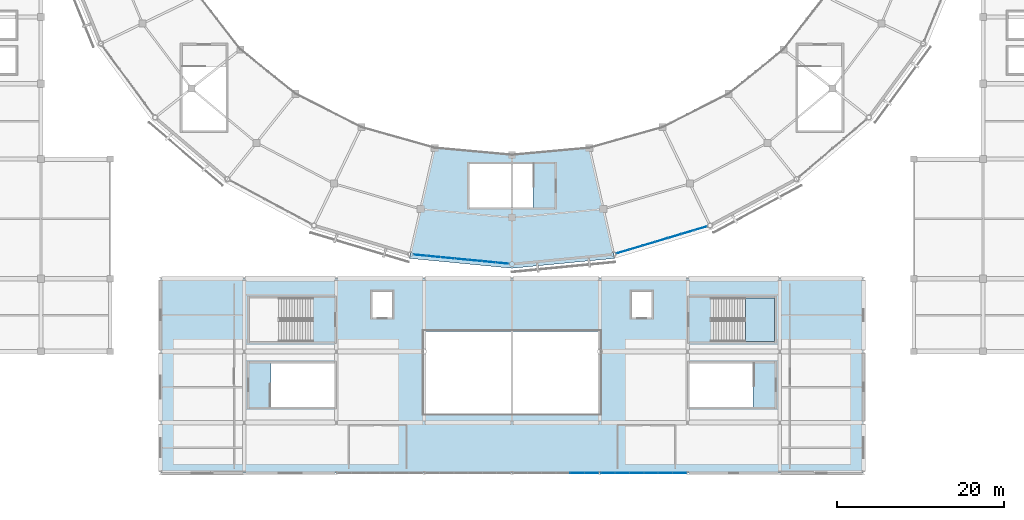
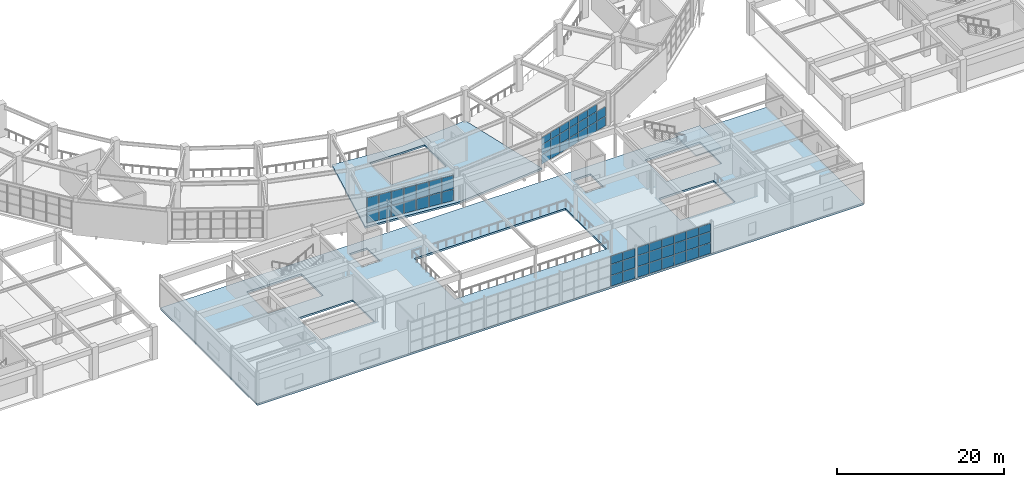
# One storey, part 68 of 112: 58 plates, 3 slabs, 5 elements without a shape of their own.
"""IFC4 building model written with IfcOpenShell, lengths in metres."""

import ifcopenshell
import ifcopenshell.guid

model = None  # the IFC model being written
_history = None  # IfcOwnerHistory: only IFC2X3 demands one
_inside = {}  # id of a spatial element -> (the spatial element, [elements in it])
_under = {}  # id of a project, library or spatial element -> (it, [spatial elements below it])
_declared = {}  # id of a project -> (the project, [libraries it declares])
_typed = {}  # id of a type object -> (the type object, [elements of that type])
_made_of = {}  # id of a material, layer set ... -> (it, [elements and type objects made of it])


def new_model(schema):
    """Start an empty IFC model of exactly this schema.

    Asked for "IFC4X3", IfcOpenShell would pick the latest addendum, in which some entities
    have other attributes; the version numbers below select the first issue.
    IFC2X3 requires an IfcOwnerHistory on every rooted entity: one is made here for all.
    """
    global model, _history
    if schema == "IFC4X3":
        model = ifcopenshell.file(schema_version=(4, 3, 0, 0))
    else:
        model = ifcopenshell.file(schema=schema)
    _inside.clear()
    _under.clear()
    _declared.clear()
    _typed.clear()
    _made_of.clear()
    _history = None
    if model.schema == "IFC2X3":
        org = make("IfcOrganization", Name="unknown")
        user = make(
            "IfcPersonAndOrganization",
            ThePerson=make("IfcPerson", FamilyName="unknown"),
            TheOrganization=org,
        )
        app = make(
            "IfcApplication",
            ApplicationDeveloper=org,
            Version="unknown",
            ApplicationFullName="unknown",
            ApplicationIdentifier="unknown",
        )
        _history = make(
            "IfcOwnerHistory",
            OwningUser=user,
            OwningApplication=app,
            ChangeAction="ADDED",
            CreationDate=0,
        )
    return model


def make(cls, **values):
    """One entity of the class cls with the attributes given. An attribute that is None is left unset."""
    return model.create_entity(
        cls, **{name: value for name, value in values.items() if value is not None}
    )


def rooted(cls, **values):
    """An entity with a GlobalId (a new one), such as an element, a storey or a relation."""
    return make(cls, GlobalId=ifcopenshell.guid.new(), OwnerHistory=_history, **values)


def si_unit(unit_type, name, prefix=None):
    """IfcSIUnit, for example si_unit("LENGTHUNIT", "METRE", prefix="MILLI")."""
    return make("IfcSIUnit", UnitType=unit_type, Prefix=prefix, Name=name)


def assignment(units):
    """IfcUnitAssignment: the units of a project."""
    return None if units is None else make("IfcUnitAssignment", Units=units)


def point(xyz):
    """IfcCartesianPoint."""
    return None if xyz is None else make("IfcCartesianPoint", Coordinates=xyz)


def direction(xyz):
    """IfcDirection."""
    return None if xyz is None else make("IfcDirection", DirectionRatios=xyz)


def frame(location, z_axis=None, x_axis=None):
    """IfcAxis2Placement3D, a coordinate frame: its origin and axes. An axis left out is left unset."""
    return make(
        "IfcAxis2Placement3D",
        Location=point(location),
        Axis=direction(z_axis),
        RefDirection=direction(x_axis),
    )


def frame_2d(location, x_axis=None):
    """IfcAxis2Placement2D, a coordinate frame in the plane: its origin and x axis."""
    return make(
        "IfcAxis2Placement2D", Location=point(location), RefDirection=direction(x_axis)
    )


def origin():
    """The frame at (0, 0, 0) with its axes left unset."""
    return frame((0.0, 0.0, 0.0))


def origin_2d():
    """The frame at (0, 0) in the plane with its x axis left unset."""
    return frame_2d((0.0, 0.0))


def place(relative_to, where):
    """IfcLocalPlacement: puts the frame where relative to a parent placement (None: the world)."""
    return make(
        "IfcLocalPlacement", PlacementRelTo=relative_to, RelativePlacement=where
    )


def context(
    kind, dimensions, precision=None, world=None, true_north=None, identifier=None
):
    """IfcGeometricRepresentationContext, for example the 3D "Model" context."""
    return make(
        "IfcGeometricRepresentationContext",
        ContextIdentifier=identifier,
        ContextType=kind,
        CoordinateSpaceDimension=dimensions,
        Precision=precision,
        WorldCoordinateSystem=world,
        TrueNorth=true_north,
    )


def subcontext(parent, identifier, kind, view, scale=None):
    """IfcGeometricRepresentationSubContext, for example "Body" below "Model"."""
    return make(
        "IfcGeometricRepresentationSubContext",
        ContextIdentifier=identifier,
        ContextType=kind,
        ParentContext=parent,
        TargetScale=scale,
        TargetView=view,
    )


def project(units=None, contexts=None):
    """IfcProject with its units and contexts."""
    return rooted(
        "IfcProject",
        Name="project",
        RepresentationContexts=contexts,
        UnitsInContext=assignment(units),
    )


def spatial(cls, under=None, at=None, **own):
    """A site, building, storey or space (cls), placed at a placement, below another one or the project."""
    s = rooted(cls, ObjectPlacement=at, **own)
    if under is not None:
        _under.setdefault(under.id(), (under, []))[1].append(s)
    return s


def polyline(points):
    """IfcPolyline through the points."""
    return make("IfcPolyline", Points=[point(p) for p in points])


def profile(cls, at=None, kind="AREA", **sizes):
    """A parametric profile (cls). Its sizes go by their IFC names, for example OverallWidth=200.0."""
    return make(cls, ProfileType=kind, Position=at, **sizes)


def rectangle(**sizes):
    """IfcRectangleProfileDef."""
    return profile("IfcRectangleProfileDef", **sizes)


def outline(outer, holes=None, kind="AREA"):
    """IfcArbitraryClosedProfileDef: a profile drawn as a closed curve; with holes, ...WithVoids."""
    if holes is None:
        return make("IfcArbitraryClosedProfileDef", ProfileType=kind, OuterCurve=outer)
    return make(
        "IfcArbitraryProfileDefWithVoids",
        ProfileType=kind,
        OuterCurve=outer,
        InnerCurves=holes,
    )


def extrude(swept, where, along, depth):
    """IfcExtrudedAreaSolid: the profile swept, set in the frame where, extruded along a direction by depth."""
    return make(
        "IfcExtrudedAreaSolid",
        SweptArea=swept,
        Position=where,
        ExtrudedDirection=direction(along),
        Depth=depth,
    )


def shape(context_of_items, identifier, shape_type, items):
    """IfcShapeRepresentation: the items that make up one representation, for example the "Body"."""
    return make(
        "IfcShapeRepresentation",
        ContextOfItems=context_of_items,
        RepresentationIdentifier=identifier,
        RepresentationType=shape_type,
        Items=items,
    )


def material(Name=None, Category=None):
    """IfcMaterial."""
    return make("IfcMaterial", Name=Name, Category=Category)


def layer(
    of_material, thickness, ventilated=None, Name=None, Category=None, Priority=None
):
    """IfcMaterialLayer: one layer of a wall or slab, of a material (None: an air gap)."""
    return make(
        "IfcMaterialLayer",
        Material=of_material,
        LayerThickness=thickness,
        IsVentilated=ventilated,
        Name=Name,
        Category=Category,
        Priority=Priority,
    )


def layer_set(layers, Name=None):
    """IfcMaterialLayerSet."""
    return make("IfcMaterialLayerSet", MaterialLayers=layers, LayerSetName=Name)


def made_of(thing, what):
    """Note that an element or type object is made of a material, layer set ...; save() writes the relation."""
    if what is not None:
        _made_of.setdefault(what.id(), (what, []))[1].append(thing)
    return thing


def type_object(cls, material=None, **own):
    """A type object (cls), such as IfcWallType, which elements share."""
    return made_of(rooted(cls, **own), material)


def element(
    cls,
    number,
    at=None,
    inside=None,
    cuts=None,
    type_object=None,
    material=None,
    context=None,
    identifier="Body",
    shape_type=None,
    held_by="IfcProductDefinitionShape",
    body=None,
    shapes=None,
    **own,
):
    """One element of the class cls, such as IfcWall. Its Tag is "e" and its number.

    at: its placement. inside: the storey or other place that contains it. cuts: it is an
    opening in that element (IfcRelVoidsElement). A single representation is given by context,
    identifier, shape_type and body (its items); several are given by shapes. held_by: the class
    of the entity that holds the representations. save() writes the other relations.
    """
    e = rooted(cls, Tag="e%d" % number, ObjectPlacement=at, **own)
    if body is not None:
        shapes = [shape(context, identifier, shape_type, body)]
    if shapes is not None:
        e.Representation = make(held_by, Representations=shapes)
    if inside is not None:
        _inside.setdefault(inside.id(), (inside, []))[1].append(e)
    if cuts is not None:
        rooted(
            "IfcRelVoidsElement", RelatingBuildingElement=cuts, RelatedOpeningElement=e
        )
    if type_object is not None:
        _typed.setdefault(type_object.id(), (type_object, []))[1].append(e)
    return made_of(e, material)


def aggregate(whole, parts):
    """IfcRelAggregates: a whole, such as a stair, and the parts it consists of."""
    return rooted("IfcRelAggregates", RelatingObject=whole, RelatedObjects=parts)


def save(model, path):
    """Write the relations noted so far, then the file.

    IfcRelAggregates (storeys below a building ...), IfcRelContainedInSpatialStructure (elements
    in a storey), IfcRelDefinesByType, IfcRelAssociatesMaterial and IfcRelDeclares: one each for
    every whole, place, type object, material and project.
    """
    for whole, parts in _under.values():
        aggregate(whole, parts)
    for where, things in _inside.values():
        rooted(
            "IfcRelContainedInSpatialStructure",
            RelatedElements=things,
            RelatingStructure=where,
        )
    for kind, things in _typed.values():
        rooted("IfcRelDefinesByType", RelatedObjects=things, RelatingType=kind)
    for what, things in _made_of.values():
        rooted("IfcRelAssociatesMaterial", RelatedObjects=things, RelatingMaterial=what)
    for by, libraries in _declared.values():
        rooted("IfcRelDeclares", RelatingContext=by, RelatedDefinitions=libraries)
    model.write(path)


model = new_model("IFC4")

# Units and contexts
model_context = context("Model", 3, precision=1e-05, world=origin(), true_north=direction((0.0, 1.0)))
body_context = subcontext(model_context, "Body", "Model", "MODEL_VIEW")
ifc_project = project(units=[si_unit("LENGTHUNIT", "METRE"), si_unit("AREAUNIT", "SQUARE_METRE"), si_unit("VOLUMEUNIT", "CUBIC_METRE"), si_unit("PLANEANGLEUNIT", "RADIAN"), si_unit("MASSUNIT", "GRAM", prefix="KILO")], contexts=[model_context])

# Site, building, storey
site_placement = place(None, origin())
site = spatial("IfcSite", under=ifc_project, at=site_placement, CompositionType="ELEMENT")
building_placement = place(site_placement, origin())
building = spatial("IfcBuilding", under=site, at=building_placement, Name="Cuetzalor Civic Arena", CompositionType="ELEMENT")
storey_placement = place(building_placement, frame((0.0, 0.0, 11.39990234375)))
storey = spatial("IfcBuildingStorey", under=building, at=storey_placement, Name="L02", CompositionType="ELEMENT", Elevation=11.39990234375)

# Curtain wall, plates
ifc_material_1 = material(Name="Anodised dark bronze aluminium and low-E solar glass", Category="aluminium")
curtain_wall_type_1 = type_object("IfcCurtainWallType", Name="UnitisedCW_11550x3850", PredefinedType="USERDEFINED", material=ifc_material_1)
curtain_wall_1_placement = place(storey_placement, origin())
curtain_wall_1 = element("IfcCurtainWall", 1, at=curtain_wall_1_placement, inside=storey, type_object=curtain_wall_type_1, Name="Drum Triangle Foyer Curtain Wall L02-041", ObjectType="UNITISED CURTAIN WALL", PredefinedType="USERDEFINED")
ifc_material_2 = material(Name="Acoustic laminated solar control glass", Category="glass")
ifc_layer_1 = layer(ifc_material_2, 0.0439453125)
ifc_layer_set_1 = layer_set([ifc_layer_1], Name="Acoustic laminated solar control glass")
plate_type_1 = type_object("IfcPlateType", Name="AcousticTripleGlazedPanel_44", PredefinedType="CURTAIN_PANEL", material=ifc_layer_set_1)
plate_1_placement = place(storey_placement, frame((-1.15185546875, -46.439208984375, 0.065185546875), z_axis=(0.0, 0.0, 1.0), x_axis=(-0.995409139996, 0.095711253324, 0.0)))
plate_1 = element("IfcPlate", 2, at=plate_1_placement, type_object=plate_type_1, Name="CW-14 panel 1.1", PredefinedType="CURTAIN_PANEL", context=body_context, shape_type="SweptSolid", body=[
    extrude(rectangle(XDim=1.5546875, YDim=0.0439453125, at=origin_2d()), origin(), (0.0, 0.0, 1.0), 1.62646484375),
])
plate_2_placement = place(storey_placement, frame((-1.15185546875, -46.439208984375, 1.7568359375), z_axis=(0.0, 0.0, 1.0), x_axis=(-0.995409139996, 0.095711253324, 0.0)))
plate_2 = element("IfcPlate", 3, at=plate_2_placement, type_object=plate_type_1, Name="CW-14 panel 1.2", PredefinedType="CURTAIN_PANEL", context=body_context, shape_type="SweptSolid", body=[
    extrude(rectangle(XDim=1.5546875, YDim=0.0439453125, at=origin_2d()), origin(), (0.0, 0.0, 1.0), 2.010498046875),
])
plate_3_placement = place(storey_placement, frame((-2.780029296875, -46.28271484375, 0.065185546875), z_axis=(0.0, 0.0, 1.0), x_axis=(-0.995409139996, 0.095711253324, 0.0)))
plate_3 = element("IfcPlate", 4, at=plate_3_placement, type_object=plate_type_1, Name="CW-14 panel 2.1", PredefinedType="CURTAIN_PANEL", context=body_context, shape_type="SweptSolid", body=[
    extrude(rectangle(XDim=1.587158203125, YDim=0.0439453125, at=origin_2d()), origin(), (0.0, 0.0, 1.0), 1.62646484375),
])
plate_4_placement = place(storey_placement, frame((-2.780029296875, -46.28271484375, 1.7568359375), z_axis=(0.0, 0.0, 1.0), x_axis=(-0.995409139996, 0.095711253324, 0.0)))
plate_4 = element("IfcPlate", 5, at=plate_4_placement, type_object=plate_type_1, Name="CW-14 panel 2.2", PredefinedType="CURTAIN_PANEL", context=body_context, shape_type="SweptSolid", body=[
    extrude(rectangle(XDim=1.587158203125, YDim=0.0439453125, at=origin_2d()), origin(), (0.0, 0.0, 1.0), 2.010498046875),
])
plate_5_placement = place(storey_placement, frame((-4.4248046875, -46.12451171875, 0.065185546875), z_axis=(0.0, 0.0, 1.0), x_axis=(-0.995409139996, 0.095711253324, 0.0)))
plate_5 = element("IfcPlate", 6, at=plate_5_placement, type_object=plate_type_1, Name="CW-14 panel 3.1", PredefinedType="CURTAIN_PANEL", context=body_context, shape_type="SweptSolid", body=[
    extrude(rectangle(XDim=1.587158203125, YDim=0.0439453125, at=origin_2d()), origin(), (0.0, 0.0, 1.0), 1.62646484375),
])
plate_6_placement = place(storey_placement, frame((-4.4248046875, -46.12451171875, 1.7568359375), z_axis=(0.0, 0.0, 1.0), x_axis=(-0.995409139996, 0.095711253324, 0.0)))
plate_6 = element("IfcPlate", 7, at=plate_6_placement, type_object=plate_type_1, Name="CW-14 panel 3.2", PredefinedType="CURTAIN_PANEL", context=body_context, shape_type="SweptSolid", body=[
    extrude(rectangle(XDim=1.587158203125, YDim=0.0439453125, at=origin_2d()), origin(), (0.0, 0.0, 1.0), 2.010498046875),
])
plate_7_placement = place(storey_placement, frame((-6.0693359375, -45.966552734375, 0.065185546875), z_axis=(0.0, 0.0, 1.0), x_axis=(-0.995409139996, 0.095711253324, 0.0)))
plate_7 = element("IfcPlate", 8, at=plate_7_placement, type_object=plate_type_1, Name="CW-14 panel 4.1", PredefinedType="CURTAIN_PANEL", context=body_context, shape_type="SweptSolid", body=[
    extrude(rectangle(XDim=1.587158203125, YDim=0.0439453125, at=origin_2d()), origin(), (0.0, 0.0, 1.0), 1.62646484375),
])
plate_8_placement = place(storey_placement, frame((-6.0693359375, -45.966552734375, 1.7568359375), z_axis=(0.0, 0.0, 1.0), x_axis=(-0.995409139996, 0.095711253324, 0.0)))
plate_8 = element("IfcPlate", 9, at=plate_8_placement, type_object=plate_type_1, Name="CW-14 panel 4.2", PredefinedType="CURTAIN_PANEL", context=body_context, shape_type="SweptSolid", body=[
    extrude(rectangle(XDim=1.587158203125, YDim=0.0439453125, at=origin_2d()), origin(), (0.0, 0.0, 1.0), 2.010498046875),
])
plate_9_placement = place(storey_placement, frame((-7.7138671875, -45.808349609375, 0.065185546875), z_axis=(0.0, 0.0, 1.0), x_axis=(-0.995409139996, 0.095711253324, 0.0)))
plate_9 = element("IfcPlate", 10, at=plate_9_placement, type_object=plate_type_1, Name="CW-14 panel 5.1", PredefinedType="CURTAIN_PANEL", context=body_context, shape_type="SweptSolid", body=[
    extrude(rectangle(XDim=1.587158203125, YDim=0.0439453125, at=origin_2d()), origin(), (0.0, 0.0, 1.0), 1.62646484375),
])
plate_10_placement = place(storey_placement, frame((-7.7138671875, -45.808349609375, 1.7568359375), z_axis=(0.0, 0.0, 1.0), x_axis=(-0.995409139996, 0.095711253324, 0.0)))
plate_10 = element("IfcPlate", 11, at=plate_10_placement, type_object=plate_type_1, Name="CW-14 panel 5.2", PredefinedType="CURTAIN_PANEL", context=body_context, shape_type="SweptSolid", body=[
    extrude(rectangle(XDim=1.587158203125, YDim=0.0439453125, at=origin_2d()), origin(), (0.0, 0.0, 1.0), 2.010498046875),
])
plate_11_placement = place(storey_placement, frame((-9.3583984375, -45.650146484375, 0.065185546875), z_axis=(0.0, 0.0, 1.0), x_axis=(-0.995409139996, 0.095711253324, 0.0)))
plate_11 = element("IfcPlate", 12, at=plate_11_placement, type_object=plate_type_1, Name="CW-14 panel 6.1", PredefinedType="CURTAIN_PANEL", context=body_context, shape_type="SweptSolid", body=[
    extrude(rectangle(XDim=1.587158203125, YDim=0.0439453125, at=origin_2d()), origin(), (0.0, 0.0, 1.0), 1.62646484375),
])
plate_12_placement = place(storey_placement, frame((-9.3583984375, -45.650146484375, 1.7568359375), z_axis=(0.0, 0.0, 1.0), x_axis=(-0.995409139996, 0.095711253324, 0.0)))
plate_12 = element("IfcPlate", 13, at=plate_12_placement, type_object=plate_type_1, Name="CW-14 panel 6.2", PredefinedType="CURTAIN_PANEL", context=body_context, shape_type="SweptSolid", body=[
    extrude(rectangle(XDim=1.587158203125, YDim=0.0439453125, at=origin_2d()), origin(), (0.0, 0.0, 1.0), 2.010498046875),
])
plate_13_placement = place(storey_placement, frame((-10.98681640625, -45.49365234375, 0.065185546875), z_axis=(0.0, 0.0, 1.0), x_axis=(-0.995409139996, 0.095711253324, 0.0)))
plate_13 = element("IfcPlate", 14, at=plate_13_placement, type_object=plate_type_1, Name="CW-14 panel 7.1", PredefinedType="CURTAIN_PANEL", context=body_context, shape_type="SweptSolid", body=[
    extrude(rectangle(XDim=1.5546875, YDim=0.0439453125, at=origin_2d()), origin(), (0.0, 0.0, 1.0), 1.62646484375),
])
plate_14_placement = place(storey_placement, frame((-10.98681640625, -45.49365234375, 1.7568359375), z_axis=(0.0, 0.0, 1.0), x_axis=(-0.995409139996, 0.095711253324, 0.0)))
plate_14 = element("IfcPlate", 15, at=plate_14_placement, type_object=plate_type_1, Name="CW-14 panel 7.2", PredefinedType="CURTAIN_PANEL", context=body_context, shape_type="SweptSolid", body=[
    extrude(rectangle(XDim=1.5546875, YDim=0.0439453125, at=origin_2d()), origin(), (0.0, 0.0, 1.0), 2.010498046875),
])
aggregate(curtain_wall_1, [plate_1, plate_2, plate_3, plate_4, plate_5, plate_6, plate_7, plate_8, plate_9, plate_10, plate_11, plate_12, plate_13, plate_14])

ifc_material_3 = material(Name="Anodised dark bronze aluminium and low-E solar glass", Category="aluminium")
curtain_wall_type_2 = type_object("IfcCurtainWallType", Name="UnitisedCW_11300x4050", PredefinedType="USERDEFINED", material=ifc_material_3)
curtain_wall_2_placement = place(storey_placement, origin())
curtain_wall_2 = element("IfcCurtainWall", 16, at=curtain_wall_2_placement, inside=storey, type_object=curtain_wall_type_2, Name="Drum Triangle Foyer Curtain Wall L02-042", ObjectType="UNITISED CURTAIN WALL", PredefinedType="USERDEFINED")
plate_15_placement = place(storey_placement, frame((22.532470703125, -42.279296875, 0.06494140625), z_axis=(0.0, 0.0, 1.0), x_axis=(-0.958193690548, -0.286120344251, 0.0)))
plate_15 = element("IfcPlate", 17, at=plate_15_placement, type_object=plate_type_1, Name="CW-15 panel 1.1", PredefinedType="CURTAIN_PANEL", context=body_context, shape_type="SweptSolid", body=[
    extrude(rectangle(XDim=1.518310546875, YDim=0.0439453125, at=origin_2d()), origin(), (0.0, 0.0, 1.0), 1.361572265625),
])
plate_16_placement = place(storey_placement, frame((22.532470703125, -42.279296875, 1.491455078125), z_axis=(0.0, 0.0, 1.0), x_axis=(-0.958193690548, -0.286120344251, 0.0)))
plate_16 = element("IfcPlate", 18, at=plate_16_placement, type_object=plate_type_1, Name="CW-15 panel 1.2", PredefinedType="CURTAIN_PANEL", context=body_context, shape_type="SweptSolid", body=[
    extrude(rectangle(XDim=1.518310546875, YDim=0.0439453125, at=origin_2d()), origin(), (0.0, 0.0, 1.0), 1.39404296875),
])
plate_17_placement = place(storey_placement, frame((20.999755859375, -42.73681640625, 0.06494140625), z_axis=(0.0, 0.0, 1.0), x_axis=(-0.958193690548, -0.286120344251, 0.0)))
plate_17 = element("IfcPlate", 19, at=plate_17_placement, type_object=plate_type_1, Name="CW-15 panel 2.1", PredefinedType="CURTAIN_PANEL", context=body_context, shape_type="SweptSolid", body=[
    extrude(rectangle(XDim=1.55078125, YDim=0.0439453125, at=origin_2d()), origin(), (0.0, 0.0, 1.0), 1.361572265625),
])
plate_18_placement = place(storey_placement, frame((20.999755859375, -42.73681640625, 1.491455078125), z_axis=(0.0, 0.0, 1.0), x_axis=(-0.958193690548, -0.286120344251, 0.0)))
plate_18 = element("IfcPlate", 20, at=plate_18_placement, type_object=plate_type_1, Name="CW-15 panel 2.2", PredefinedType="CURTAIN_PANEL", context=body_context, shape_type="SweptSolid", body=[
    extrude(rectangle(XDim=1.55078125, YDim=0.0439453125, at=origin_2d()), origin(), (0.0, 0.0, 1.0), 1.39404296875),
])
plate_19_placement = place(storey_placement, frame((20.999755859375, -42.73681640625, 2.950439453125), z_axis=(0.0, 0.0, 1.0), x_axis=(-0.958193690548, -0.286120344251, 0.0)))
plate_19 = element("IfcPlate", 21, at=plate_19_placement, type_object=plate_type_1, Name="CW-15 panel 2.3", PredefinedType="CURTAIN_PANEL", context=body_context, shape_type="SweptSolid", body=[
    extrude(rectangle(XDim=1.55078125, YDim=0.0439453125, at=origin_2d()), origin(), (0.0, 0.0, 1.0), 1.03759765625),
])
plate_20_placement = place(storey_placement, frame((19.45166015625, -43.19921875, 0.06494140625), z_axis=(0.0, 0.0, 1.0), x_axis=(-0.958193690548, -0.286120344251, 0.0)))
plate_20 = element("IfcPlate", 22, at=plate_20_placement, type_object=plate_type_1, Name="CW-15 panel 3.1", PredefinedType="CURTAIN_PANEL", context=body_context, shape_type="SweptSolid", body=[
    extrude(rectangle(XDim=1.55078125, YDim=0.0439453125, at=origin_2d()), origin(), (0.0, 0.0, 1.0), 1.361572265625),
])
plate_21_placement = place(storey_placement, frame((19.45166015625, -43.19921875, 1.491455078125), z_axis=(0.0, 0.0, 1.0), x_axis=(-0.958193690548, -0.286120344251, 0.0)))
plate_21 = element("IfcPlate", 23, at=plate_21_placement, type_object=plate_type_1, Name="CW-15 panel 3.2", PredefinedType="CURTAIN_PANEL", context=body_context, shape_type="SweptSolid", body=[
    extrude(rectangle(XDim=1.55078125, YDim=0.0439453125, at=origin_2d()), origin(), (0.0, 0.0, 1.0), 1.39404296875),
])
plate_22_placement = place(storey_placement, frame((19.45166015625, -43.19921875, 2.950439453125), z_axis=(0.0, 0.0, 1.0), x_axis=(-0.958193690548, -0.286120344251, 0.0)))
plate_22 = element("IfcPlate", 24, at=plate_22_placement, type_object=plate_type_1, Name="CW-15 panel 3.3", PredefinedType="CURTAIN_PANEL", context=body_context, shape_type="SweptSolid", body=[
    extrude(rectangle(XDim=1.55078125, YDim=0.0439453125, at=origin_2d()), origin(), (0.0, 0.0, 1.0), 1.03759765625),
])
plate_23_placement = place(storey_placement, frame((17.903564453125, -43.66162109375, 0.06494140625), z_axis=(0.0, 0.0, 1.0), x_axis=(-0.958193690548, -0.286120344251, 0.0)))
plate_23 = element("IfcPlate", 25, at=plate_23_placement, type_object=plate_type_1, Name="CW-15 panel 4.1", PredefinedType="CURTAIN_PANEL", context=body_context, shape_type="SweptSolid", body=[
    extrude(rectangle(XDim=1.55078125, YDim=0.0439453125, at=origin_2d()), origin(), (0.0, 0.0, 1.0), 1.361572265625),
])
plate_24_placement = place(storey_placement, frame((17.903564453125, -43.66162109375, 1.491455078125), z_axis=(0.0, 0.0, 1.0), x_axis=(-0.958193690548, -0.286120344251, 0.0)))
plate_24 = element("IfcPlate", 26, at=plate_24_placement, type_object=plate_type_1, Name="CW-15 panel 4.2", PredefinedType="CURTAIN_PANEL", context=body_context, shape_type="SweptSolid", body=[
    extrude(rectangle(XDim=1.55078125, YDim=0.0439453125, at=origin_2d()), origin(), (0.0, 0.0, 1.0), 1.39404296875),
])
plate_25_placement = place(storey_placement, frame((17.903564453125, -43.66162109375, 2.950439453125), z_axis=(0.0, 0.0, 1.0), x_axis=(-0.958193690548, -0.286120344251, 0.0)))
plate_25 = element("IfcPlate", 27, at=plate_25_placement, type_object=plate_type_1, Name="CW-15 panel 4.3", PredefinedType="CURTAIN_PANEL", context=body_context, shape_type="SweptSolid", body=[
    extrude(rectangle(XDim=1.55078125, YDim=0.0439453125, at=origin_2d()), origin(), (0.0, 0.0, 1.0), 1.03759765625),
])
plate_26_placement = place(storey_placement, frame((16.355224609375, -44.123779296875, 0.06494140625), z_axis=(0.0, 0.0, 1.0), x_axis=(-0.958193690548, -0.286120344251, 0.0)))
plate_26 = element("IfcPlate", 28, at=plate_26_placement, type_object=plate_type_1, Name="CW-15 panel 5.1", PredefinedType="CURTAIN_PANEL", context=body_context, shape_type="SweptSolid", body=[
    extrude(rectangle(XDim=1.55078125, YDim=0.0439453125, at=origin_2d()), origin(), (0.0, 0.0, 1.0), 1.361572265625),
])
plate_27_placement = place(storey_placement, frame((16.355224609375, -44.123779296875, 1.491455078125), z_axis=(0.0, 0.0, 1.0), x_axis=(-0.958193690548, -0.286120344251, 0.0)))
plate_27 = element("IfcPlate", 29, at=plate_27_placement, type_object=plate_type_1, Name="CW-15 panel 5.2", PredefinedType="CURTAIN_PANEL", context=body_context, shape_type="SweptSolid", body=[
    extrude(rectangle(XDim=1.55078125, YDim=0.0439453125, at=origin_2d()), origin(), (0.0, 0.0, 1.0), 1.39404296875),
])
plate_28_placement = place(storey_placement, frame((16.355224609375, -44.123779296875, 2.950439453125), z_axis=(0.0, 0.0, 1.0), x_axis=(-0.958193690548, -0.286120344251, 0.0)))
plate_28 = element("IfcPlate", 30, at=plate_28_placement, type_object=plate_type_1, Name="CW-15 panel 5.3", PredefinedType="CURTAIN_PANEL", context=body_context, shape_type="SweptSolid", body=[
    extrude(rectangle(XDim=1.55078125, YDim=0.0439453125, at=origin_2d()), origin(), (0.0, 0.0, 1.0), 1.03759765625),
])
plate_29_placement = place(storey_placement, frame((14.80712890625, -44.586181640625, 0.06494140625), z_axis=(0.0, 0.0, 1.0), x_axis=(-0.958193690548, -0.286120344251, 0.0)))
plate_29 = element("IfcPlate", 31, at=plate_29_placement, type_object=plate_type_1, Name="CW-15 panel 6.1", PredefinedType="CURTAIN_PANEL", context=body_context, shape_type="SweptSolid", body=[
    extrude(rectangle(XDim=1.55078125, YDim=0.0439453125, at=origin_2d()), origin(), (0.0, 0.0, 1.0), 1.361572265625),
])
plate_30_placement = place(storey_placement, frame((14.80712890625, -44.586181640625, 1.491455078125), z_axis=(0.0, 0.0, 1.0), x_axis=(-0.958193690548, -0.286120344251, 0.0)))
plate_30 = element("IfcPlate", 32, at=plate_30_placement, type_object=plate_type_1, Name="CW-15 panel 6.2", PredefinedType="CURTAIN_PANEL", context=body_context, shape_type="SweptSolid", body=[
    extrude(rectangle(XDim=1.55078125, YDim=0.0439453125, at=origin_2d()), origin(), (0.0, 0.0, 1.0), 1.39404296875),
])
plate_31_placement = place(storey_placement, frame((14.80712890625, -44.586181640625, 2.950439453125), z_axis=(0.0, 0.0, 1.0), x_axis=(-0.958193690548, -0.286120344251, 0.0)))
plate_31 = element("IfcPlate", 33, at=plate_31_placement, type_object=plate_type_1, Name="CW-15 panel 6.3", PredefinedType="CURTAIN_PANEL", context=body_context, shape_type="SweptSolid", body=[
    extrude(rectangle(XDim=1.55078125, YDim=0.0439453125, at=origin_2d()), origin(), (0.0, 0.0, 1.0), 1.03759765625),
])
plate_32_placement = place(storey_placement, frame((13.274658203125, -45.043701171875, 0.06494140625), z_axis=(0.0, 0.0, 1.0), x_axis=(-0.958193690548, -0.286120344251, 0.0)))
plate_32 = element("IfcPlate", 34, at=plate_32_placement, type_object=plate_type_1, Name="CW-15 panel 7.1", PredefinedType="CURTAIN_PANEL", context=body_context, shape_type="SweptSolid", body=[
    extrude(rectangle(XDim=1.518310546875, YDim=0.0439453125, at=origin_2d()), origin(), (0.0, 0.0, 1.0), 1.361572265625),
])
plate_33_placement = place(storey_placement, frame((13.274658203125, -45.043701171875, 1.491455078125), z_axis=(0.0, 0.0, 1.0), x_axis=(-0.958193690548, -0.286120344251, 0.0)))
plate_33 = element("IfcPlate", 35, at=plate_33_placement, type_object=plate_type_1, Name="CW-15 panel 7.2", PredefinedType="CURTAIN_PANEL", context=body_context, shape_type="SweptSolid", body=[
    extrude(rectangle(XDim=1.518310546875, YDim=0.0439453125, at=origin_2d()), origin(), (0.0, 0.0, 1.0), 1.39404296875),
])
plate_34_placement = place(storey_placement, frame((13.274658203125, -45.043701171875, 2.950439453125), z_axis=(0.0, 0.0, 1.0), x_axis=(-0.958193690548, -0.286120344251, 0.0)))
plate_34 = element("IfcPlate", 36, at=plate_34_placement, type_object=plate_type_1, Name="CW-15 panel 7.3", PredefinedType="CURTAIN_PANEL", context=body_context, shape_type="SweptSolid", body=[
    extrude(rectangle(XDim=1.518310546875, YDim=0.0439453125, at=origin_2d()), origin(), (0.0, 0.0, 1.0), 1.03759765625),
])
aggregate(curtain_wall_2, [plate_15, plate_16, plate_17, plate_18, plate_19, plate_20, plate_21, plate_22, plate_23, plate_24, plate_25, plate_26, plate_27, plate_28, plate_29, plate_30, plate_31, plate_32, plate_33, plate_34])

ifc_material_4 = material(Name="Anodised dark bronze aluminium and low-E solar glass", Category="aluminium")
curtain_wall_type_3 = type_object("IfcCurtainWallType", Name="StickCW_10250x4500", PredefinedType="USERDEFINED", material=ifc_material_4)
curtain_wall_3_placement = place(storey_placement, origin())
curtain_wall_3 = element("IfcCurtainWall", 37, at=curtain_wall_3_placement, inside=storey, type_object=curtain_wall_type_3, Name="South Civic Square Curtain Wall L02-089", ObjectType="STICK CURTAIN WALL", PredefinedType="USERDEFINED")
ifc_material_5 = material(Name="Low-E laminated solar control glass", Category="glass")
ifc_layer_2 = layer(ifc_material_5, 0.031982421875)
ifc_layer_set_2 = layer_set([ifc_layer_2], Name="Low-E laminated solar control glass")
plate_type_2 = type_object("IfcPlateType", Name="SolarControlGlazedPanel_32", PredefinedType="CURTAIN_PANEL", material=ifc_layer_set_2)
plate_35_placement = place(storey_placement, frame((9.5048828125, -71.5, 0.06494140625), z_axis=(0.0, 0.0, 1.0), x_axis=(-1.0, 0.0, 0.0)))
plate_35 = element("IfcPlate", 38, at=plate_35_placement, type_object=plate_type_2, Name="CW-27 panel 1.1", PredefinedType="CURTAIN_PANEL", context=body_context, shape_type="SweptSolid", body=[
    extrude(rectangle(XDim=1.611083984375, YDim=0.031982421875, at=origin_2d()), origin(), (0.0, 0.0, 1.0), 1.529541015625),
])
plate_36_placement = place(storey_placement, frame((9.5048828125, -71.5, 1.65966796875), z_axis=(0.0, 0.0, 1.0), x_axis=(-1.0, 0.0, 0.0)))
plate_36 = element("IfcPlate", 39, at=plate_36_placement, type_object=plate_type_2, Name="CW-27 panel 1.2", PredefinedType="CURTAIN_PANEL", context=body_context, shape_type="SweptSolid", body=[
    extrude(rectangle(XDim=1.611083984375, YDim=0.031982421875, at=origin_2d()), origin(), (0.0, 0.0, 1.0), 1.56201171875),
])
plate_37_placement = place(storey_placement, frame((9.5048828125, -71.5, 3.28662109375), z_axis=(0.0, 0.0, 1.0), x_axis=(-1.0, 0.0, 0.0)))
plate_37 = element("IfcPlate", 40, at=plate_37_placement, type_object=plate_type_2, Name="CW-27 panel 1.3", PredefinedType="CURTAIN_PANEL", context=body_context, shape_type="SweptSolid", body=[
    extrude(rectangle(XDim=1.611083984375, YDim=0.031982421875, at=origin_2d()), origin(), (0.0, 0.0, 1.0), 1.16845703125),
])
plate_38_placement = place(storey_placement, frame((7.812744140625, -71.5, 0.06494140625), z_axis=(0.0, 0.0, 1.0), x_axis=(-1.0, 0.0, 0.0)))
plate_38 = element("IfcPlate", 41, at=plate_38_placement, type_object=plate_type_2, Name="CW-27 panel 2.1", PredefinedType="CURTAIN_PANEL", context=body_context, shape_type="SweptSolid", body=[
    extrude(rectangle(XDim=1.6435546875, YDim=0.031982421875, at=origin_2d()), origin(), (0.0, 0.0, 1.0), 1.529541015625),
])
plate_39_placement = place(storey_placement, frame((7.812744140625, -71.5, 1.65966796875), z_axis=(0.0, 0.0, 1.0), x_axis=(-1.0, 0.0, 0.0)))
plate_39 = element("IfcPlate", 42, at=plate_39_placement, type_object=plate_type_2, Name="CW-27 panel 2.2", PredefinedType="CURTAIN_PANEL", context=body_context, shape_type="SweptSolid", body=[
    extrude(rectangle(XDim=1.6435546875, YDim=0.031982421875, at=origin_2d()), origin(), (0.0, 0.0, 1.0), 1.56201171875),
])
plate_40_placement = place(storey_placement, frame((7.812744140625, -71.5, 3.28662109375), z_axis=(0.0, 0.0, 1.0), x_axis=(-1.0, 0.0, 0.0)))
plate_40 = element("IfcPlate", 43, at=plate_40_placement, type_object=plate_type_2, Name="CW-27 panel 2.3", PredefinedType="CURTAIN_PANEL", context=body_context, shape_type="SweptSolid", body=[
    extrude(rectangle(XDim=1.6435546875, YDim=0.031982421875, at=origin_2d()), origin(), (0.0, 0.0, 1.0), 1.16845703125),
])
aggregate(curtain_wall_3, [plate_35, plate_36, plate_37, plate_38, plate_39, plate_40])

curtain_wall_4_placement = place(storey_placement, origin())
curtain_wall_4 = element("IfcCurtainWall", 44, at=curtain_wall_4_placement, inside=storey, type_object=curtain_wall_type_3, Name="South Civic Square Curtain Wall L02-090", ObjectType="STICK CURTAIN WALL", PredefinedType="USERDEFINED")
plate_41_placement = place(storey_placement, frame((20.0048828125, -71.5, 0.06494140625), z_axis=(0.0, 0.0, 1.0), x_axis=(-1.0, 0.0, 0.0)))
plate_41 = element("IfcPlate", 45, at=plate_41_placement, type_object=plate_type_2, Name="CW-27 panel 1.1", PredefinedType="CURTAIN_PANEL", context=body_context, shape_type="SweptSolid", body=[
    extrude(rectangle(XDim=1.611083984375, YDim=0.031982421875, at=origin_2d()), origin(), (0.0, 0.0, 1.0), 1.529541015625),
])
plate_42_placement = place(storey_placement, frame((20.0048828125, -71.5, 1.65966796875), z_axis=(0.0, 0.0, 1.0), x_axis=(-1.0, 0.0, 0.0)))
plate_42 = element("IfcPlate", 46, at=plate_42_placement, type_object=plate_type_2, Name="CW-27 panel 1.2", PredefinedType="CURTAIN_PANEL", context=body_context, shape_type="SweptSolid", body=[
    extrude(rectangle(XDim=1.611083984375, YDim=0.031982421875, at=origin_2d()), origin(), (0.0, 0.0, 1.0), 1.56201171875),
])
plate_43_placement = place(storey_placement, frame((20.0048828125, -71.5, 3.28662109375), z_axis=(0.0, 0.0, 1.0), x_axis=(-1.0, 0.0, 0.0)))
plate_43 = element("IfcPlate", 47, at=plate_43_placement, type_object=plate_type_2, Name="CW-27 panel 1.3", PredefinedType="CURTAIN_PANEL", context=body_context, shape_type="SweptSolid", body=[
    extrude(rectangle(XDim=1.611083984375, YDim=0.031982421875, at=origin_2d()), origin(), (0.0, 0.0, 1.0), 1.16845703125),
])
plate_44_placement = place(storey_placement, frame((18.312744140625, -71.5, 0.06494140625), z_axis=(0.0, 0.0, 1.0), x_axis=(-1.0, 0.0, 0.0)))
plate_44 = element("IfcPlate", 48, at=plate_44_placement, type_object=plate_type_2, Name="CW-27 panel 2.1", PredefinedType="CURTAIN_PANEL", context=body_context, shape_type="SweptSolid", body=[
    extrude(rectangle(XDim=1.6435546875, YDim=0.031982421875, at=origin_2d()), origin(), (0.0, 0.0, 1.0), 1.529541015625),
])
plate_45_placement = place(storey_placement, frame((18.312744140625, -71.5, 1.65966796875), z_axis=(0.0, 0.0, 1.0), x_axis=(-1.0, 0.0, 0.0)))
plate_45 = element("IfcPlate", 49, at=plate_45_placement, type_object=plate_type_2, Name="CW-27 panel 2.2", PredefinedType="CURTAIN_PANEL", context=body_context, shape_type="SweptSolid", body=[
    extrude(rectangle(XDim=1.6435546875, YDim=0.031982421875, at=origin_2d()), origin(), (0.0, 0.0, 1.0), 1.56201171875),
])
plate_46_placement = place(storey_placement, frame((18.312744140625, -71.5, 3.28662109375), z_axis=(0.0, 0.0, 1.0), x_axis=(-1.0, 0.0, 0.0)))
plate_46 = element("IfcPlate", 50, at=plate_46_placement, type_object=plate_type_2, Name="CW-27 panel 2.3", PredefinedType="CURTAIN_PANEL", context=body_context, shape_type="SweptSolid", body=[
    extrude(rectangle(XDim=1.6435546875, YDim=0.031982421875, at=origin_2d()), origin(), (0.0, 0.0, 1.0), 1.16845703125),
])
plate_47_placement = place(storey_placement, frame((16.604248046875, -71.5, 0.06494140625), z_axis=(0.0, 0.0, 1.0), x_axis=(-1.0, 0.0, 0.0)))
plate_47 = element("IfcPlate", 51, at=plate_47_placement, type_object=plate_type_2, Name="CW-27 panel 3.1", PredefinedType="CURTAIN_PANEL", context=body_context, shape_type="SweptSolid", body=[
    extrude(rectangle(XDim=1.6435546875, YDim=0.031982421875, at=origin_2d()), origin(), (0.0, 0.0, 1.0), 1.529541015625),
])
plate_48_placement = place(storey_placement, frame((16.604248046875, -71.5, 1.65966796875), z_axis=(0.0, 0.0, 1.0), x_axis=(-1.0, 0.0, 0.0)))
plate_48 = element("IfcPlate", 52, at=plate_48_placement, type_object=plate_type_2, Name="CW-27 panel 3.2", PredefinedType="CURTAIN_PANEL", context=body_context, shape_type="SweptSolid", body=[
    extrude(rectangle(XDim=1.6435546875, YDim=0.031982421875, at=origin_2d()), origin(), (0.0, 0.0, 1.0), 1.56201171875),
])
plate_49_placement = place(storey_placement, frame((16.604248046875, -71.5, 3.28662109375), z_axis=(0.0, 0.0, 1.0), x_axis=(-1.0, 0.0, 0.0)))
plate_49 = element("IfcPlate", 53, at=plate_49_placement, type_object=plate_type_2, Name="CW-27 panel 3.3", PredefinedType="CURTAIN_PANEL", context=body_context, shape_type="SweptSolid", body=[
    extrude(rectangle(XDim=1.6435546875, YDim=0.031982421875, at=origin_2d()), origin(), (0.0, 0.0, 1.0), 1.16845703125),
])
plate_50_placement = place(storey_placement, frame((14.895751953125, -71.5, 0.06494140625), z_axis=(0.0, 0.0, 1.0), x_axis=(-1.0, 0.0, 0.0)))
plate_50 = element("IfcPlate", 54, at=plate_50_placement, type_object=plate_type_2, Name="CW-27 panel 4.1", PredefinedType="CURTAIN_PANEL", context=body_context, shape_type="SweptSolid", body=[
    extrude(rectangle(XDim=1.6435546875, YDim=0.031982421875, at=origin_2d()), origin(), (0.0, 0.0, 1.0), 1.529541015625),
])
plate_51_placement = place(storey_placement, frame((14.895751953125, -71.5, 1.65966796875), z_axis=(0.0, 0.0, 1.0), x_axis=(-1.0, 0.0, 0.0)))
plate_51 = element("IfcPlate", 55, at=plate_51_placement, type_object=plate_type_2, Name="CW-27 panel 4.2", PredefinedType="CURTAIN_PANEL", context=body_context, shape_type="SweptSolid", body=[
    extrude(rectangle(XDim=1.6435546875, YDim=0.031982421875, at=origin_2d()), origin(), (0.0, 0.0, 1.0), 1.56201171875),
])
plate_52_placement = place(storey_placement, frame((14.895751953125, -71.5, 3.28662109375), z_axis=(0.0, 0.0, 1.0), x_axis=(-1.0, 0.0, 0.0)))
plate_52 = element("IfcPlate", 56, at=plate_52_placement, type_object=plate_type_2, Name="CW-27 panel 4.3", PredefinedType="CURTAIN_PANEL", context=body_context, shape_type="SweptSolid", body=[
    extrude(rectangle(XDim=1.6435546875, YDim=0.031982421875, at=origin_2d()), origin(), (0.0, 0.0, 1.0), 1.16845703125),
])
plate_53_placement = place(storey_placement, frame((13.187255859375, -71.5, 0.06494140625), z_axis=(0.0, 0.0, 1.0), x_axis=(-1.0, 0.0, 0.0)))
plate_53 = element("IfcPlate", 57, at=plate_53_placement, type_object=plate_type_2, Name="CW-27 panel 5.1", PredefinedType="CURTAIN_PANEL", context=body_context, shape_type="SweptSolid", body=[
    extrude(rectangle(XDim=1.6435546875, YDim=0.031982421875, at=origin_2d()), origin(), (0.0, 0.0, 1.0), 1.529541015625),
])
plate_54_placement = place(storey_placement, frame((13.187255859375, -71.5, 1.65966796875), z_axis=(0.0, 0.0, 1.0), x_axis=(-1.0, 0.0, 0.0)))
plate_54 = element("IfcPlate", 58, at=plate_54_placement, type_object=plate_type_2, Name="CW-27 panel 5.2", PredefinedType="CURTAIN_PANEL", context=body_context, shape_type="SweptSolid", body=[
    extrude(rectangle(XDim=1.6435546875, YDim=0.031982421875, at=origin_2d()), origin(), (0.0, 0.0, 1.0), 1.56201171875),
])
plate_55_placement = place(storey_placement, frame((13.187255859375, -71.5, 3.28662109375), z_axis=(0.0, 0.0, 1.0), x_axis=(-1.0, 0.0, 0.0)))
plate_55 = element("IfcPlate", 59, at=plate_55_placement, type_object=plate_type_2, Name="CW-27 panel 5.3", PredefinedType="CURTAIN_PANEL", context=body_context, shape_type="SweptSolid", body=[
    extrude(rectangle(XDim=1.6435546875, YDim=0.031982421875, at=origin_2d()), origin(), (0.0, 0.0, 1.0), 1.16845703125),
])
plate_56_placement = place(storey_placement, frame((11.4951171875, -71.5, 0.06494140625), z_axis=(0.0, 0.0, 1.0), x_axis=(-1.0, 0.0, 0.0)))
plate_56 = element("IfcPlate", 60, at=plate_56_placement, type_object=plate_type_2, Name="CW-27 panel 6.1", PredefinedType="CURTAIN_PANEL", context=body_context, shape_type="SweptSolid", body=[
    extrude(rectangle(XDim=1.611083984375, YDim=0.031982421875, at=origin_2d()), origin(), (0.0, 0.0, 1.0), 1.529541015625),
])
plate_57_placement = place(storey_placement, frame((11.4951171875, -71.5, 1.65966796875), z_axis=(0.0, 0.0, 1.0), x_axis=(-1.0, 0.0, 0.0)))
plate_57 = element("IfcPlate", 61, at=plate_57_placement, type_object=plate_type_2, Name="CW-27 panel 6.2", PredefinedType="CURTAIN_PANEL", context=body_context, shape_type="SweptSolid", body=[
    extrude(rectangle(XDim=1.611083984375, YDim=0.031982421875, at=origin_2d()), origin(), (0.0, 0.0, 1.0), 1.56201171875),
])
plate_58_placement = place(storey_placement, frame((11.4951171875, -71.5, 3.28662109375), z_axis=(0.0, 0.0, 1.0), x_axis=(-1.0, 0.0, 0.0)))
plate_58 = element("IfcPlate", 62, at=plate_58_placement, type_object=plate_type_2, Name="CW-27 panel 6.3", PredefinedType="CURTAIN_PANEL", context=body_context, shape_type="SweptSolid", body=[
    extrude(rectangle(XDim=1.611083984375, YDim=0.031982421875, at=origin_2d()), origin(), (0.0, 0.0, 1.0), 1.16845703125),
])
aggregate(curtain_wall_4, [plate_41, plate_42, plate_43, plate_44, plate_45, plate_46, plate_47, plate_48, plate_49, plate_50, plate_51, plate_52, plate_53, plate_54, plate_55, plate_56, plate_57, plate_58])

# Stair, slab
ifc_material_6 = material(Name="Precast concrete C40/50", Category="concrete")
stair_type = type_object("IfcStairType", Name="EnclosedExitStair_H480", PredefinedType="HALF_TURN_STAIR", material=ifc_material_6)
stair_placement = place(storey_placement, origin())
stair = element("IfcStair", 63, at=stair_placement, inside=storey, type_object=stair_type, Name="L02 Enclosed Exit Stair ST-11", PredefinedType="HALF_TURN_STAIR")
ifc_material_7 = material(Name="Concrete C40/50", Category="concrete")
ifc_layer_3 = layer(ifc_material_7, 0.199951171875)
ifc_layer_set_3 = layer_set([ifc_layer_3], Name="Concrete C40/50")
slab_type_1 = type_object("IfcSlabType", Name="StairHalfLandingSlab_200", PredefinedType="LANDING", material=ifc_layer_set_3)
slab_1_placement = place(storey_placement, frame((0.0, 0.0, 2.2001953125)))
slab_1 = element("IfcSlab", 64, at=slab_1_placement, type_object=slab_type_1, Name="ST-11 landing 1", PredefinedType="LANDING", context=body_context, shape_type="SweptSolid", body=[
    extrude(outline(polyline([(27.884033203125, -55.800048828125), (31.39990234375, -55.800048828125), (31.39990234375, -50.60009765625), (27.884033203125, -50.60009765625), (27.884033203125, -55.800048828125)])), origin(), (0.0, 0.0, 1.0), 0.199951171875),
])
aggregate(stair, [slab_1])

# Slabs
ifc_material_8 = material(Name="Concrete C35/45", Category="concrete")
ifc_layer_4 = layer(ifc_material_8, 0.280029296875)
ifc_layer_set_4 = layer_set([ifc_layer_4], Name="Concrete C35/45")
slab_type_2 = type_object("IfcSlabType", Name="SuspendedFloorSlab_280", PredefinedType="FLOOR", material=ifc_layer_set_4)
slab_2_placement = place(storey_placement, frame((0.0, 0.0, -0.27978515625)))
element("IfcSlab", 65, at=slab_2_placement, inside=storey, type_object=slab_type_2, Name="Arena Concourse Sector Slab L02-11", PredefinedType="FLOOR", context=body_context, shape_type="SweptSolid", body=[
    extrude(outline(polyline([(0.0, -33.5), (9.234619140625, -32.66015625), (12.249755859375, -45.870361328125), (0.0, -47.050048828125), (-12.249755859375, -45.870361328125), (-9.234619140625, -32.66015625), (0.0, -33.5)]), holes=[polyline([(2.5, -39.800048828125), (2.5, -34.60009765625), (-5.10009765625, -34.60009765625), (-5.10009765625, -39.800048828125), (2.5, -39.800048828125)])]), origin(), (0.0, 0.0, 1.0), 0.27978515625),
])
slab_3_placement = place(storey_placement, frame((0.0, 0.0, -0.27978515625)))
element("IfcSlab", 66, at=slab_3_placement, inside=storey, type_object=slab_type_2, Name="South Foyer Gallery Floor Slab L02", PredefinedType="FLOOR", context=body_context, shape_type="SweptSolid", body=[
    extrude(outline(polyline([(-42.0, -71.5), (42.0, -71.5), (42.0, -48.300048828125), (-42.0, -48.300048828125), (-42.0, -71.5)]), holes=[polyline([(-28.800048828125, -63.60009765625), (-21.199951171875, -63.60009765625), (-21.199951171875, -58.39990234375), (-28.800048828125, -58.39990234375), (-28.800048828125, -63.60009765625)]), polyline([(-31.39990234375, -55.800048828125), (-23.800048828125, -55.800048828125), (-23.800048828125, -50.60009765625), (-31.39990234375, -50.60009765625), (-31.39990234375, -55.800048828125)]), polyline([(23.800048828125, -55.800048828125), (31.39990234375, -55.800048828125), (31.39990234375, -50.60009765625), (23.800048828125, -50.60009765625), (23.800048828125, -55.800048828125)]), polyline([(21.199951171875, -63.60009765625), (28.800048828125, -63.60009765625), (28.800048828125, -58.39990234375), (21.199951171875, -58.39990234375), (21.199951171875, -63.60009765625)]), polyline([(-16.699951171875, -52.949951171875), (-14.300048828125, -52.949951171875), (-14.300048828125, -49.85009765625), (-16.699951171875, -49.85009765625), (-16.699951171875, -52.949951171875)]), polyline([(14.300048828125, -52.949951171875), (16.699951171875, -52.949951171875), (16.699951171875, -49.85009765625), (14.300048828125, -49.85009765625), (14.300048828125, -52.949951171875)]), polyline([(-10.5, -64.39990234375), (10.5, -64.39990234375), (10.5, -54.60009765625), (-10.5, -54.60009765625), (-10.5, -64.39990234375)])]), origin(), (0.0, 0.0, 1.0), 0.27978515625),
])

save(model, "model.ifc")
